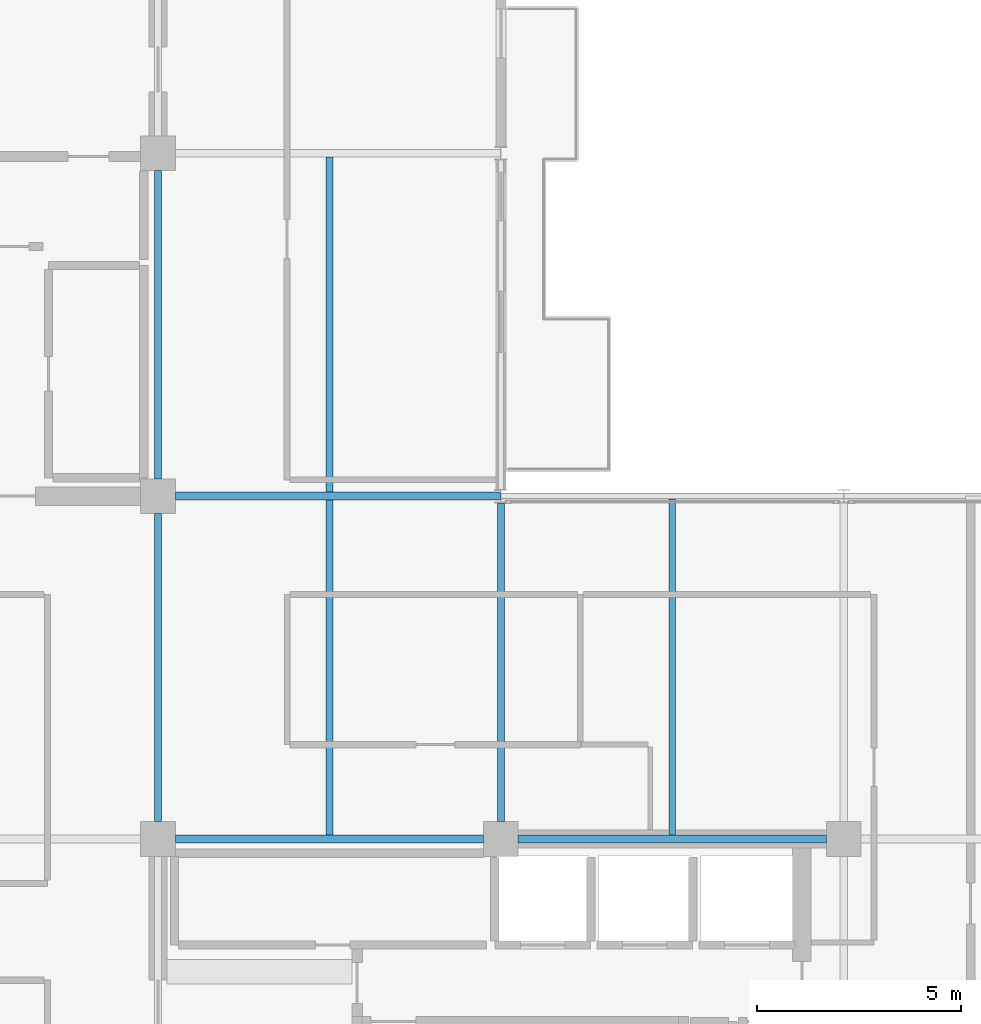
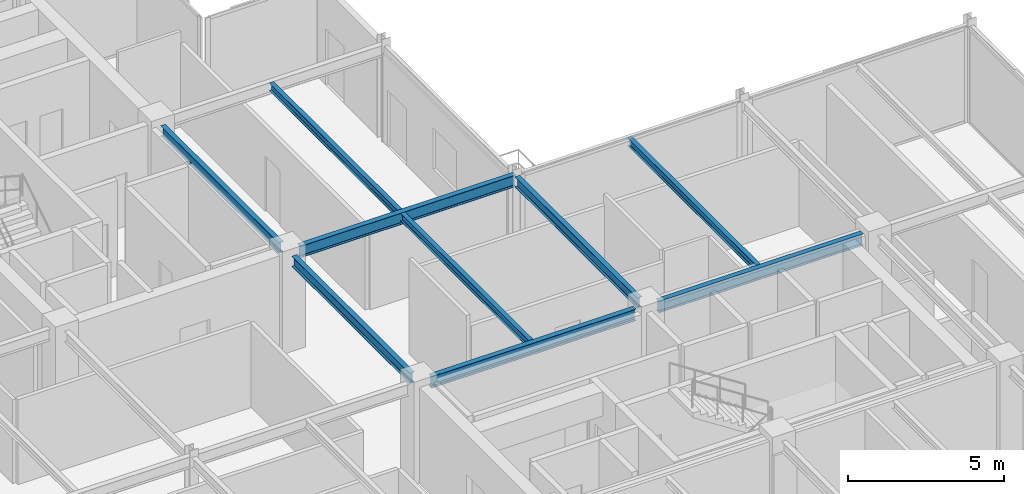
# One storey, part 12 of 26: 9 beams.
"""IFC4 building model written with IfcOpenShell, lengths in metres."""

from ifc_helpers import new_model, si_unit, direction, frame, origin, origin_2d, place, context, subcontext, project, spatial, i_section, extrude, material, material_profile, profile_set, type_object, element, save


model = new_model("IFC4")

# Units and contexts
model_context = context("Model", 3, precision=1e-05, world=origin(), true_north=direction((0.0, 1.0)))
body_context = subcontext(model_context, "Body", "Model", "MODEL_VIEW")
ifc_project = project(units=[si_unit("LENGTHUNIT", "METRE"), si_unit("AREAUNIT", "SQUARE_METRE"), si_unit("VOLUMEUNIT", "CUBIC_METRE"), si_unit("PLANEANGLEUNIT", "RADIAN"), si_unit("MASSUNIT", "GRAM", prefix="KILO")], contexts=[model_context])

# Site, building, storey
site_placement = place(None, origin())
site = spatial("IfcSite", under=ifc_project, at=site_placement, CompositionType="ELEMENT")
building_placement = place(site_placement, origin())
building = spatial("IfcBuilding", under=site, at=building_placement, Name="Nerrivon Quay Data Exchange", CompositionType="ELEMENT")
storey_placement = place(building_placement, frame((0.0, 0.0, 270.199951171875)))
storey = spatial("IfcBuildingStorey", under=building, at=storey_placement, Name="L64", CompositionType="ELEMENT", Elevation=270.199951171875)

# Beams
ifc_material = material(Name="Steel Grade 350", Category="steel")
ifc_material_profile_1 = material_profile(ifc_material, i_section(OverallWidth=0.18994140625, OverallDepth=0.4541015625, WebThickness=0.008544921875, FlangeThickness=0.0126953125, FilletRadius=0.011474609375, at=origin_2d()), Name="460UB67.1")
ifc_profile_set_1 = profile_set([ifc_material_profile_1], Name="Steel Grade 350")
beam_type_1 = type_object("IfcBeamType", Name="BM-G6-460UB67", PredefinedType="BEAM", material=ifc_profile_set_1)
beam_1_placement = place(storey_placement, frame((17.22509765625, 16.800048828125, 3.498046875), z_axis=(1.0, 0.0, 0.0), x_axis=(0.0, 1.0, 0.0)))
element("IfcBeam", 1, at=beam_1_placement, inside=storey, type_object=beam_type_1, Name="L64 EW Girder Y=16.8 (16.8..25.2)", PredefinedType="BEAM", context=body_context, shape_type="SweptSolid", body=[
    extrude(i_section(OverallWidth=0.18994140625, OverallDepth=0.4541015625, WebThickness=0.008544921875, FlangeThickness=0.0126953125, FilletRadius=0.011474609375, at=origin_2d()), origin(), (0.0, 0.0, 1.0), 7.5498046875),
])
beam_2_placement = place(storey_placement, frame((25.625, 16.800048828125, 3.498046875), z_axis=(1.0, 0.0, 0.0), x_axis=(0.0, 1.0, 0.0)))
element("IfcBeam", 2, at=beam_2_placement, inside=storey, type_object=beam_type_1, Name="L64 EW Girder Y=16.8 (25.2..33.6)", PredefinedType="BEAM", context=body_context, shape_type="SweptSolid", body=[
    extrude(i_section(OverallWidth=0.18994140625, OverallDepth=0.4541015625, WebThickness=0.008544921875, FlangeThickness=0.0126953125, FilletRadius=0.011474609375, at=origin_2d()), origin(), (0.0, 0.0, 1.0), 7.550048828125),
])
beam_3_placement = place(storey_placement, frame((17.22509765625, 25.199951171875, 3.498046875), z_axis=(1.0, 0.0, 0.0), x_axis=(0.0, 1.0, 0.0)))
element("IfcBeam", 3, at=beam_3_placement, inside=storey, type_object=beam_type_1, Name="L64 EW Girder Y=25.2 (16.8..25.2)", PredefinedType="BEAM", context=body_context, shape_type="SweptSolid", body=[
    extrude(i_section(OverallWidth=0.18994140625, OverallDepth=0.4541015625, WebThickness=0.008544921875, FlangeThickness=0.0126953125, FilletRadius=0.011474609375, at=origin_2d()), origin(), (0.0, 0.0, 1.0), 7.967041015625),
])
ifc_material_profile_2 = material_profile(ifc_material, i_section(OverallWidth=0.177978515625, OverallDepth=0.406005859375, WebThickness=0.0078125, FlangeThickness=0.0126953125, FilletRadius=0.011474609375, at=origin_2d()), Name="410UB59.7")
ifc_profile_set_2 = profile_set([ifc_material_profile_2], Name="Steel Grade 350")
beam_type_2 = type_object("IfcBeamType", Name="BM-J1-410UB60", PredefinedType="JOIST", material=ifc_profile_set_2)
beam_4_placement = place(storey_placement, frame((16.800048828125, 17.22509765625, 3.52197265625), z_axis=(0.0, 1.0, 0.0), x_axis=(-1.0, 0.0, 0.0)))
element("IfcBeam", 4, at=beam_4_placement, inside=storey, type_object=beam_type_2, Name="L64 NS Girder X=16.8 (16.8..25.2)", PredefinedType="JOIST", context=body_context, shape_type="SweptSolid", body=[
    extrude(i_section(OverallWidth=0.177978515625, OverallDepth=0.406005859375, WebThickness=0.0078125, FlangeThickness=0.0126953125, FilletRadius=0.011474609375, at=origin_2d()), origin(), (0.0, 0.0, 1.0), 7.5498046875),
])
beam_5_placement = place(storey_placement, frame((16.800048828125, 25.625, 3.52197265625), z_axis=(0.0, 1.0, 0.0), x_axis=(-1.0, 0.0, 0.0)))
element("IfcBeam", 5, at=beam_5_placement, inside=storey, type_object=beam_type_2, Name="L64 NS Girder X=16.8 (25.2..33.6)", PredefinedType="JOIST", context=body_context, shape_type="SweptSolid", body=[
    extrude(i_section(OverallWidth=0.177978515625, OverallDepth=0.406005859375, WebThickness=0.0078125, FlangeThickness=0.0126953125, FilletRadius=0.011474609375, at=origin_2d()), origin(), (0.0, 0.0, 1.0), 7.550048828125),
])
beam_6_placement = place(storey_placement, frame((25.199951171875, 17.22509765625, 3.52197265625), z_axis=(0.0, 1.0, 0.0), x_axis=(-1.0, 0.0, 0.0)))
element("IfcBeam", 6, at=beam_6_placement, inside=storey, type_object=beam_type_2, Name="L64 NS Girder X=25.2 (16.8..25.2)", PredefinedType="JOIST", context=body_context, shape_type="SweptSolid", body=[
    extrude(i_section(OverallWidth=0.177978515625, OverallDepth=0.406005859375, WebThickness=0.0078125, FlangeThickness=0.0126953125, FilletRadius=0.011474609375, at=origin_2d()), origin(), (0.0, 0.0, 1.0), 7.8115234375),
])
ifc_material_profile_3 = material_profile(ifc_material, i_section(OverallWidth=0.1650390625, OverallDepth=0.303955078125, WebThickness=0.006103515625, FlangeThickness=0.01025390625, FilletRadius=0.011474609375, at=origin_2d()), Name="310UB40.4")
ifc_profile_set_3 = profile_set([ifc_material_profile_3], Name="Steel Grade 350")
beam_type_3 = type_object("IfcBeamType", Name="BM-J6-310UB40", PredefinedType="JOIST", material=ifc_profile_set_3)
for number, where, z_axis, x_axis, name in (
    (7, (21.0, 16.89501953125, 3.572998046875), (0.0, 1.0, 0.0), (-1.0, 0.0, 0.0), "L64 Secondary Joist X=21.0 (16.8..25.2)"),
    (8, (21.0, 25.294921875, 3.572998046875), (0.0, 1.0, 0.0), (-1.0, 0.0, 0.0), "L64 Secondary Joist X=21.0 (25.2..33.6)"),
):
    element("IfcBeam", number, at=place(storey_placement, frame(where, z_axis=z_axis, x_axis=x_axis)), inside=storey, type_object=beam_type_3, Name=name, PredefinedType="JOIST", context=body_context, shape_type="SweptSolid", body=[
        extrude(i_section(OverallWidth=0.1650390625, OverallDepth=0.303955078125, WebThickness=0.006103515625, FlangeThickness=0.01025390625, FilletRadius=0.011474609375, at=origin_2d()), origin(), (0.0, 0.0, 1.0), 8.2099609375),
    ])
beam_7_placement = place(storey_placement, frame((29.39990234375, 16.89501953125, 3.572998046875), z_axis=(0.0, 1.0, 0.0), x_axis=(-1.0, 0.0, 0.0)))
element("IfcBeam", 9, at=beam_7_placement, inside=storey, type_object=beam_type_3, Name="L64 Secondary Joist X=29.4 (16.8..25.2)", PredefinedType="JOIST", context=body_context, shape_type="SweptSolid", body=[
    extrude(i_section(OverallWidth=0.1650390625, OverallDepth=0.303955078125, WebThickness=0.006103515625, FlangeThickness=0.01025390625, FilletRadius=0.011474609375, at=origin_2d()), origin(), (0.0, 0.0, 1.0), 8.22998046875),
])

save(model, "model.ifc")
